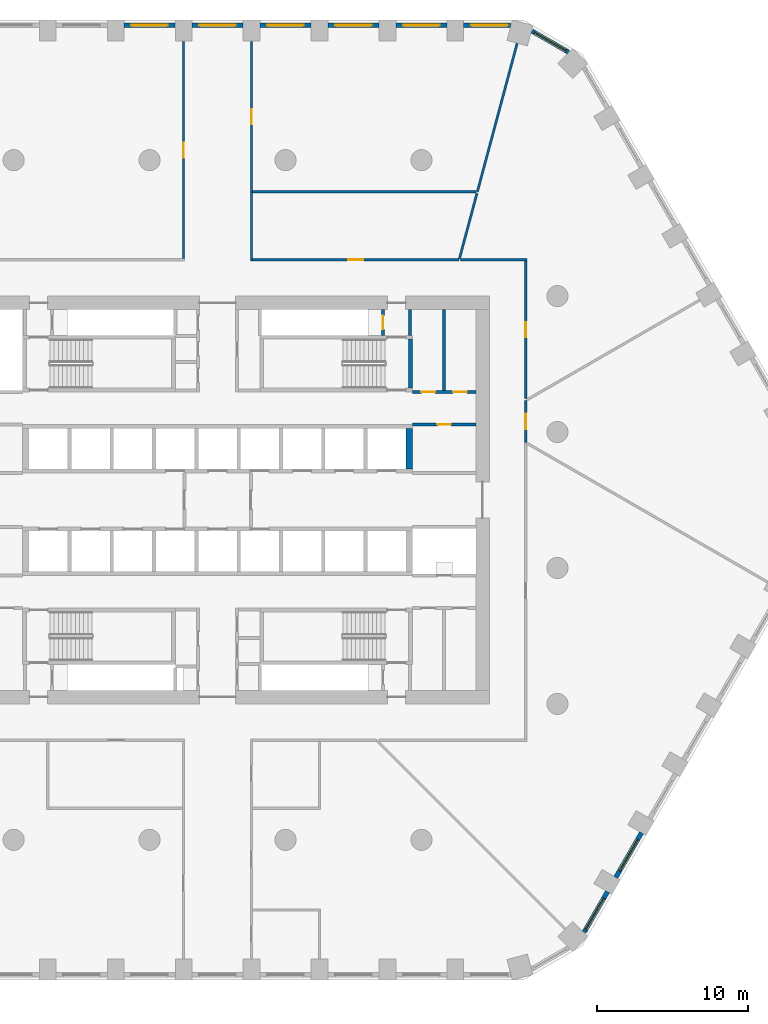
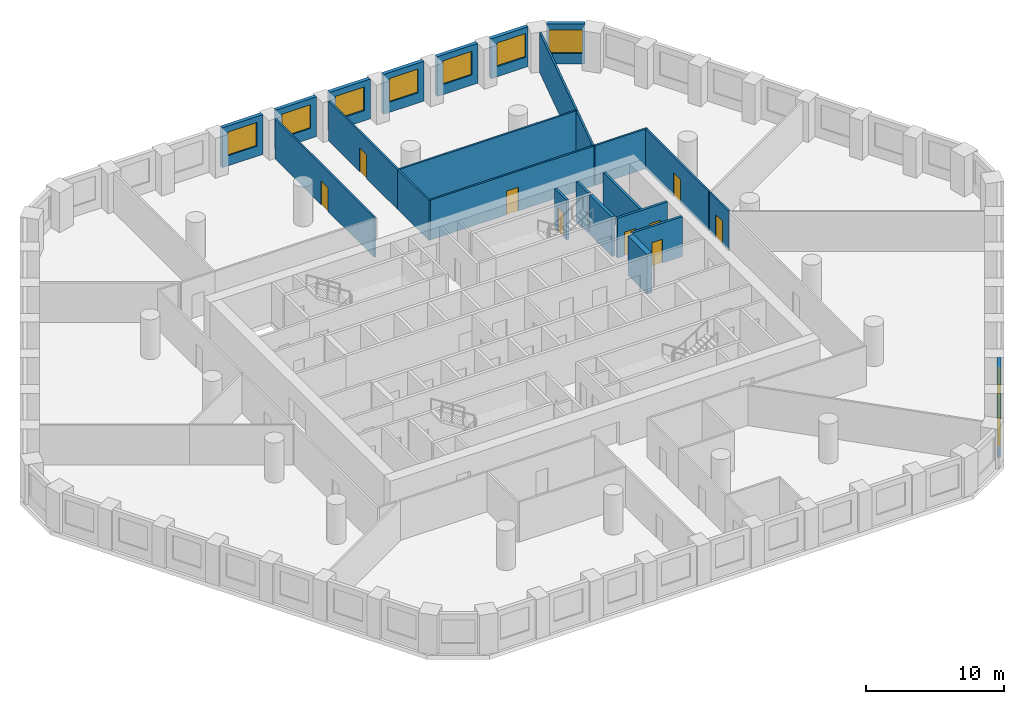
# One storey, part 7 of 10: 26 walls, 9 doors, 9 windows, 18 openings.
"""IFC4 building model written with IfcOpenShell, lengths in metres."""

from ifc_helpers import new_model, si_unit, direction, frame, frame_2d, origin, place, context, subcontext, project, spatial, polyline, rectangle, outline, extrude, material, layer, layer_set, type_object, element, fill, save


model = new_model("IFC4")

# Units and contexts
model_context = context("Model", 3, precision=1e-05, world=origin(), true_north=direction((0.0, 1.0)))
body_context = subcontext(model_context, "Body", "Model", "MODEL_VIEW")
ifc_project = project(units=[si_unit("LENGTHUNIT", "METRE"), si_unit("AREAUNIT", "SQUARE_METRE"), si_unit("VOLUMEUNIT", "CUBIC_METRE"), si_unit("PLANEANGLEUNIT", "RADIAN"), si_unit("MASSUNIT", "GRAM", prefix="KILO")], contexts=[model_context])

# Site, building, storey
site_placement = place(None, origin())
site = spatial("IfcSite", under=ifc_project, at=site_placement, CompositionType="ELEMENT")
building_placement = place(site_placement, origin())
building = spatial("IfcBuilding", under=site, at=building_placement, Name="Dhurran Vertical Campus", CompositionType="ELEMENT")
storey_placement = place(building_placement, frame((0.0, 0.0, 49.5)))
storey = spatial("IfcBuildingStorey", under=building, at=storey_placement, Name="L11", CompositionType="ELEMENT", Elevation=49.5)

# Wall, opening, window
ifc_material_1 = material(Name="Precast concrete C50/60", Category="concrete")
ifc_layer_1 = layer(ifc_material_1, 0.300048828125)
ifc_layer_set_1 = layer_set([ifc_layer_1], Name="Precast concrete C50/60")
wall_type_1 = type_object("IfcWallType", Name="Precast spandrel wall 300", PredefinedType="SOLIDWALL", material=ifc_layer_set_1)
wall_1_placement = place(storey_placement, frame((24.2734375, -28.611083984375, 0.0), z_axis=(0.0, 0.0, 1.0), x_axis=(0.499995950774, 0.866027741594, 0.0)))
wall_1 = element("IfcWall", 1, at=wall_1_placement, inside=storey, type_object=wall_type_1, Name="EW1 L11.10", PredefinedType="SOLIDWALL", context=body_context, shape_type="SweptSolid", body=[
    extrude(rectangle(XDim=3.0908203125, YDim=0.300048828125, at=frame_2d((1.54541015625, 0.0))), origin(), (0.0, 0.0, 1.0), 3.52490234375),
])
opening_1_placement = place(wall_1_placement, frame((0.191162109375, 0.0, 0.89990234375)))
opening_1 = element("IfcOpeningElement", 2, at=opening_1_placement, cuts=wall_1, Name="Opening WT1", PredefinedType="OPENING", context=body_context, shape_type="SweptSolid", body=[
    extrude(rectangle(XDim=2.39990234375, YDim=2.10009765625, at=frame_2d((1.199951171875, 1.050048828125))), frame((0.0, 0.159912109375, 0.0), z_axis=(0.0, -1.0, 0.0), x_axis=(1.0, 0.0, 0.0)), (0.0, 0.0, 1.0), 0.320068359375),
])
ifc_material_2 = material(Name="Aluminium frame with solar-control glass", Category="aluminium")
window_type = type_object("IfcWindowType", Name="Punched window 2400 x 2100", PartitioningType="SINGLE_PANEL", PredefinedType="WINDOW", material=ifc_material_2)
window_1_placement = place(opening_1_placement, origin())
window_1 = element("IfcWindow", 3, at=window_1_placement, inside=storey, type_object=window_type, Name="WT1 L11.10", OverallHeight=2.10009765625, OverallWidth=2.39990234375, PartitioningType="SINGLE_PANEL", PredefinedType="WINDOW", context=body_context, shape_type="SweptSolid", body=[
    extrude(rectangle(XDim=2.39990234375, YDim=2.10009765625, at=frame_2d((1.199951171875, 1.050048828125))), frame((0.0, 0.030029296875, 0.0), z_axis=(0.0, -1.0, 0.0), x_axis=(1.0, 0.0, 0.0)), (0.0, 0.0, 1.0), 0.06005859375),
])
fill(opening_1, window_1)

wall_2_placement = place(storey_placement, frame((26.369384765625, -24.98095703125, 0.0), z_axis=(0.0, 0.0, 1.0), x_axis=(0.499993955907, 0.866028893315, 0.0)))
wall_2 = element("IfcWall", 4, at=wall_2_placement, inside=storey, type_object=wall_type_1, Name="EW1 L11.11", PredefinedType="SOLIDWALL", context=body_context, shape_type="SweptSolid", body=[
    extrude(rectangle(XDim=3.39892578125, YDim=0.300048828125, at=frame_2d((1.699462890625, 0.0))), origin(), (0.0, 0.0, 1.0), 3.52490234375),
])
opening_2_placement = place(wall_2_placement, frame((0.49951171875, 0.0, 0.89990234375)))
opening_2 = element("IfcOpeningElement", 5, at=opening_2_placement, cuts=wall_2, Name="Opening WT1", PredefinedType="OPENING", context=body_context, shape_type="SweptSolid", body=[
    extrude(rectangle(XDim=2.39990234375, YDim=2.10009765625, at=frame_2d((1.199951171875, 1.050048828125))), frame((0.0, 0.159912109375, 0.0), z_axis=(0.0, -1.0, 0.0), x_axis=(1.0, 0.0, 0.0)), (0.0, 0.0, 1.0), 0.320068359375),
])
window_2_placement = place(opening_2_placement, origin())
window_2 = element("IfcWindow", 6, at=window_2_placement, inside=storey, type_object=window_type, Name="WT1 L11.11", OverallHeight=2.10009765625, OverallWidth=2.39990234375, PartitioningType="SINGLE_PANEL", PredefinedType="WINDOW", context=body_context, shape_type="SweptSolid", body=[
    extrude(rectangle(XDim=2.39990234375, YDim=2.10009765625, at=frame_2d((1.199951171875, 1.050048828125))), frame((0.0, 0.030029296875, 0.0), z_axis=(0.0, -1.0, 0.0), x_axis=(1.0, 0.0, 0.0)), (0.0, 0.0, 1.0), 0.06005859375),
])
fill(opening_2, window_2)

wall_3_placement = place(storey_placement, frame((23.228271484375, 29.656005859375, 0.0), z_axis=(0.0, 0.0, 1.0), x_axis=(-0.866020456713, 0.500008568482, 0.0)))
wall_3 = element("IfcWall", 7, at=wall_3_placement, inside=storey, type_object=wall_type_1, Name="EW1 L11.25", PredefinedType="SOLIDWALL", context=body_context, shape_type="SweptSolid", body=[
    extrude(rectangle(XDim=2.7822265625, YDim=0.300048828125, at=frame_2d((1.39111328125, 0.0))), origin(), (0.0, 0.0, 1.0), 3.52490234375),
])
opening_3_placement = place(wall_3_placement, frame((0.191162109375, 0.0, 0.89990234375)))
opening_3 = element("IfcOpeningElement", 8, at=opening_3_placement, cuts=wall_3, Name="Opening WT1", PredefinedType="OPENING", context=body_context, shape_type="SweptSolid", body=[
    extrude(rectangle(XDim=2.39990234375, YDim=2.10009765625, at=frame_2d((1.199951171875, 1.050048828125))), frame((0.0, 0.159912109375, 0.0), z_axis=(0.0, -1.0, 0.0), x_axis=(1.0, 0.0, 0.0)), (0.0, 0.0, 1.0), 0.320068359375),
])
window_3_placement = place(opening_3_placement, origin())
window_3 = element("IfcWindow", 9, at=window_3_placement, inside=storey, type_object=window_type, Name="WT1 L11.25", OverallHeight=2.10009765625, OverallWidth=2.39990234375, PartitioningType="SINGLE_PANEL", PredefinedType="WINDOW", context=body_context, shape_type="SweptSolid", body=[
    extrude(rectangle(XDim=2.39990234375, YDim=2.10009765625, at=frame_2d((1.199951171875, 1.050048828125))), frame((0.0, 0.030029296875, 0.0), z_axis=(0.0, -1.0, 0.0), x_axis=(1.0, 0.0, 0.0)), (0.0, 0.0, 1.0), 0.06005859375),
])
fill(opening_3, window_3)

wall_4_placement = place(storey_placement, frame((19.39111328125, 31.4296875, 0.0), z_axis=(0.0, 0.0, 1.0), x_axis=(-1.0, 0.0, 0.0)))
wall_4 = element("IfcWall", 10, at=wall_4_placement, inside=storey, type_object=wall_type_1, Name="EW1 L11.26", PredefinedType="SOLIDWALL", context=body_context, shape_type="SweptSolid", body=[
    extrude(rectangle(XDim=3.090576171875, YDim=0.300048828125, at=frame_2d((1.54541015625, 0.0))), origin(), (0.0, 0.0, 1.0), 3.52490234375),
])
opening_4_placement = place(wall_4_placement, frame((0.191162109375, 0.0, 0.89990234375)))
opening_4 = element("IfcOpeningElement", 11, at=opening_4_placement, cuts=wall_4, Name="Opening WT1", PredefinedType="OPENING", context=body_context, shape_type="SweptSolid", body=[
    extrude(rectangle(XDim=2.39990234375, YDim=2.10009765625, at=frame_2d((1.199951171875, 1.050048828125))), frame((0.0, 0.159912109375, 0.0), z_axis=(0.0, -1.0, 0.0), x_axis=(1.0, 0.0, 0.0)), (0.0, 0.0, 1.0), 0.320068359375),
])
window_4_placement = place(opening_4_placement, origin())
window_4 = element("IfcWindow", 12, at=window_4_placement, inside=storey, type_object=window_type, Name="WT1 L11.26", OverallHeight=2.10009765625, OverallWidth=2.39990234375, PartitioningType="SINGLE_PANEL", PredefinedType="WINDOW", context=body_context, shape_type="SweptSolid", body=[
    extrude(rectangle(XDim=2.39990234375, YDim=2.10009765625, at=frame_2d((1.199951171875, 1.050048828125))), frame((0.0, 0.030029296875, 0.0), z_axis=(0.0, -1.0, 0.0), x_axis=(1.0, 0.0, 0.0)), (0.0, 0.0, 1.0), 0.06005859375),
])
fill(opening_4, window_4)

wall_5_placement = place(storey_placement, frame((15.199462890625, 31.4296875, 0.0), z_axis=(0.0, 0.0, 1.0), x_axis=(-1.0, 0.0, 0.0)))
wall_5 = element("IfcWall", 13, at=wall_5_placement, inside=storey, type_object=wall_type_1, Name="EW1 L11.27", PredefinedType="SOLIDWALL", context=body_context, shape_type="SweptSolid", body=[
    extrude(rectangle(XDim=3.39892578125, YDim=0.300048828125, at=frame_2d((1.699462890625, 0.0))), origin(), (0.0, 0.0, 1.0), 3.52490234375),
])
opening_5_placement = place(wall_5_placement, frame((0.49951171875, 0.0, 0.89990234375)))
opening_5 = element("IfcOpeningElement", 14, at=opening_5_placement, cuts=wall_5, Name="Opening WT1", PredefinedType="OPENING", context=body_context, shape_type="SweptSolid", body=[
    extrude(rectangle(XDim=2.39990234375, YDim=2.10009765625, at=frame_2d((1.199951171875, 1.050048828125))), frame((0.0, 0.159912109375, 0.0), z_axis=(0.0, -1.0, 0.0), x_axis=(1.0, 0.0, 0.0)), (0.0, 0.0, 1.0), 0.320068359375),
])
window_5_placement = place(opening_5_placement, origin())
window_5 = element("IfcWindow", 15, at=window_5_placement, inside=storey, type_object=window_type, Name="WT1 L11.27", OverallHeight=2.10009765625, OverallWidth=2.39990234375, PartitioningType="SINGLE_PANEL", PredefinedType="WINDOW", context=body_context, shape_type="SweptSolid", body=[
    extrude(rectangle(XDim=2.39990234375, YDim=2.10009765625, at=frame_2d((1.199951171875, 1.050048828125))), frame((0.0, 0.030029296875, 0.0), z_axis=(0.0, -1.0, 0.0), x_axis=(1.0, 0.0, 0.0)), (0.0, 0.0, 1.0), 0.06005859375),
])
fill(opening_5, window_5)

wall_6_placement = place(storey_placement, frame((10.699462890625, 31.4296875, 0.0), z_axis=(0.0, 0.0, 1.0), x_axis=(-1.0, 0.0, 0.0)))
wall_6 = element("IfcWall", 16, at=wall_6_placement, inside=storey, type_object=wall_type_1, Name="EW1 L11.28", PredefinedType="SOLIDWALL", context=body_context, shape_type="SweptSolid", body=[
    extrude(rectangle(XDim=3.39892578125, YDim=0.300048828125, at=frame_2d((1.699462890625, 0.0))), origin(), (0.0, 0.0, 1.0), 3.52490234375),
])
opening_6_placement = place(wall_6_placement, frame((0.49951171875, 0.0, 0.89990234375)))
opening_6 = element("IfcOpeningElement", 17, at=opening_6_placement, cuts=wall_6, Name="Opening WT1", PredefinedType="OPENING", context=body_context, shape_type="SweptSolid", body=[
    extrude(rectangle(XDim=2.39990234375, YDim=2.10009765625, at=frame_2d((1.199951171875, 1.050048828125))), frame((0.0, 0.159912109375, 0.0), z_axis=(0.0, -1.0, 0.0), x_axis=(1.0, 0.0, 0.0)), (0.0, 0.0, 1.0), 0.320068359375),
])
window_6_placement = place(opening_6_placement, origin())
window_6 = element("IfcWindow", 18, at=window_6_placement, inside=storey, type_object=window_type, Name="WT1 L11.28", OverallHeight=2.10009765625, OverallWidth=2.39990234375, PartitioningType="SINGLE_PANEL", PredefinedType="WINDOW", context=body_context, shape_type="SweptSolid", body=[
    extrude(rectangle(XDim=2.39990234375, YDim=2.10009765625, at=frame_2d((1.199951171875, 1.050048828125))), frame((0.0, 0.030029296875, 0.0), z_axis=(0.0, -1.0, 0.0), x_axis=(1.0, 0.0, 0.0)), (0.0, 0.0, 1.0), 0.06005859375),
])
fill(opening_6, window_6)

wall_7_placement = place(storey_placement, frame((6.199462890625, 31.4296875, 0.0), z_axis=(0.0, 0.0, 1.0), x_axis=(-1.0, 0.0, 0.0)))
wall_7 = element("IfcWall", 19, at=wall_7_placement, inside=storey, type_object=wall_type_1, Name="EW1 L11.29", PredefinedType="SOLIDWALL", context=body_context, shape_type="SweptSolid", body=[
    extrude(rectangle(XDim=3.39892578125, YDim=0.300048828125, at=frame_2d((1.699462890625, 0.0))), origin(), (0.0, 0.0, 1.0), 3.52490234375),
])
opening_7_placement = place(wall_7_placement, frame((0.49951171875, 0.0, 0.89990234375)))
opening_7 = element("IfcOpeningElement", 20, at=opening_7_placement, cuts=wall_7, Name="Opening WT1", PredefinedType="OPENING", context=body_context, shape_type="SweptSolid", body=[
    extrude(rectangle(XDim=2.39990234375, YDim=2.10009765625, at=frame_2d((1.199951171875, 1.050048828125))), frame((0.0, 0.159912109375, 0.0), z_axis=(0.0, -1.0, 0.0), x_axis=(1.0, 0.0, 0.0)), (0.0, 0.0, 1.0), 0.320068359375),
])
window_7_placement = place(opening_7_placement, origin())
window_7 = element("IfcWindow", 21, at=window_7_placement, inside=storey, type_object=window_type, Name="WT1 L11.29", OverallHeight=2.10009765625, OverallWidth=2.39990234375, PartitioningType="SINGLE_PANEL", PredefinedType="WINDOW", context=body_context, shape_type="SweptSolid", body=[
    extrude(rectangle(XDim=2.39990234375, YDim=2.10009765625, at=frame_2d((1.199951171875, 1.050048828125))), frame((0.0, 0.030029296875, 0.0), z_axis=(0.0, -1.0, 0.0), x_axis=(1.0, 0.0, 0.0)), (0.0, 0.0, 1.0), 0.06005859375),
])
fill(opening_7, window_7)

wall_8_placement = place(storey_placement, frame((1.699462890625, 31.4296875, 0.0), z_axis=(0.0, 0.0, 1.0), x_axis=(-1.0, 0.0, 0.0)))
wall_8 = element("IfcWall", 22, at=wall_8_placement, inside=storey, type_object=wall_type_1, Name="EW1 L11.30", PredefinedType="SOLIDWALL", context=body_context, shape_type="SweptSolid", body=[
    extrude(rectangle(XDim=3.39892578125, YDim=0.300048828125, at=frame_2d((1.699462890625, 0.0))), origin(), (0.0, 0.0, 1.0), 3.52490234375),
])
opening_8_placement = place(wall_8_placement, frame((0.49951171875, 0.0, 0.89990234375)))
opening_8 = element("IfcOpeningElement", 23, at=opening_8_placement, cuts=wall_8, Name="Opening WT1", PredefinedType="OPENING", context=body_context, shape_type="SweptSolid", body=[
    extrude(rectangle(XDim=2.39990234375, YDim=2.10009765625, at=frame_2d((1.199951171875, 1.050048828125))), frame((0.0, 0.159912109375, 0.0), z_axis=(0.0, -1.0, 0.0), x_axis=(1.0, 0.0, 0.0)), (0.0, 0.0, 1.0), 0.320068359375),
])
window_8_placement = place(opening_8_placement, origin())
window_8 = element("IfcWindow", 24, at=window_8_placement, inside=storey, type_object=window_type, Name="WT1 L11.30", OverallHeight=2.10009765625, OverallWidth=2.39990234375, PartitioningType="SINGLE_PANEL", PredefinedType="WINDOW", context=body_context, shape_type="SweptSolid", body=[
    extrude(rectangle(XDim=2.39990234375, YDim=2.10009765625, at=frame_2d((1.199951171875, 1.050048828125))), frame((0.0, 0.030029296875, 0.0), z_axis=(0.0, -1.0, 0.0), x_axis=(1.0, 0.0, 0.0)), (0.0, 0.0, 1.0), 0.06005859375),
])
fill(opening_8, window_8)

wall_9_placement = place(storey_placement, frame((-2.800537109375, 31.4296875, 0.0), z_axis=(0.0, 0.0, 1.0), x_axis=(-1.0, 0.0, 0.0)))
wall_9 = element("IfcWall", 25, at=wall_9_placement, inside=storey, type_object=wall_type_1, Name="EW1 L11.31", PredefinedType="SOLIDWALL", context=body_context, shape_type="SweptSolid", body=[
    extrude(rectangle(XDim=3.39892578125, YDim=0.300048828125, at=frame_2d((1.699462890625, 0.0))), origin(), (0.0, 0.0, 1.0), 3.52490234375),
])
opening_9_placement = place(wall_9_placement, frame((0.49951171875, 0.0, 0.89990234375)))
opening_9 = element("IfcOpeningElement", 26, at=opening_9_placement, cuts=wall_9, Name="Opening WT1", PredefinedType="OPENING", context=body_context, shape_type="SweptSolid", body=[
    extrude(rectangle(XDim=2.39990234375, YDim=2.10009765625, at=frame_2d((1.199951171875, 1.050048828125))), frame((0.0, 0.159912109375, 0.0), z_axis=(0.0, -1.0, 0.0), x_axis=(1.0, 0.0, 0.0)), (0.0, 0.0, 1.0), 0.320068359375),
])
window_9_placement = place(opening_9_placement, origin())
window_9 = element("IfcWindow", 27, at=window_9_placement, inside=storey, type_object=window_type, Name="WT1 L11.31", OverallHeight=2.10009765625, OverallWidth=2.39990234375, PartitioningType="SINGLE_PANEL", PredefinedType="WINDOW", context=body_context, shape_type="SweptSolid", body=[
    extrude(rectangle(XDim=2.39990234375, YDim=2.10009765625, at=frame_2d((1.199951171875, 1.050048828125))), frame((0.0, 0.030029296875, 0.0), z_axis=(0.0, -1.0, 0.0), x_axis=(1.0, 0.0, 0.0)), (0.0, 0.0, 1.0), 0.06005859375),
])
fill(opening_9, window_9)

# Wall
ifc_material_3 = material(Name="Fire-rated masonry blockwork", Category="masonry")
ifc_layer_2 = layer(ifc_material_3, 0.199951171875)
ifc_layer_set_2 = layer_set([ifc_layer_2], Name="Fire-rated masonry blockwork")
wall_type_2 = type_object("IfcWallType", Name="co-FIRE-PARTITION-200", PredefinedType="PARTITIONING", material=ifc_layer_set_2)
wall_10_placement = place(storey_placement, frame((12.75, 10.89990234375, 0.0), z_axis=(0.0, 0.0, 1.0), x_axis=(0.0, 1.0, 0.0)))
element("IfcWall", 28, at=wall_10_placement, inside=storey, type_object=wall_type_2, Name="Core partition pass-ST2-o L11", PredefinedType="PARTITIONING", context=body_context, shape_type="SweptSolid", body=[
    extrude(rectangle(XDim=1.7001953125, YDim=0.199951171875, at=frame_2d((0.85009765625, 0.0))), origin(), (0.0, 0.0, 1.0), 3.52490234375),
])

# Wall, opening, door
wall_11_placement = place(storey_placement, frame((10.949951171875, 10.89990234375, 0.0), z_axis=(0.0, 0.0, 1.0), x_axis=(0.0, 1.0, 0.0)))
wall_11 = element("IfcWall", 29, at=wall_11_placement, inside=storey, type_object=wall_type_2, Name="Core partition pass-ST2-i L11", PredefinedType="PARTITIONING", context=body_context, shape_type="SweptSolid", body=[
    extrude(rectangle(XDim=1.7001953125, YDim=0.199951171875, at=frame_2d((0.85009765625, 0.0))), origin(), (0.0, 0.0, 1.0), 3.52490234375),
])
opening_10_placement = place(wall_11_placement, frame((0.39990234375, 0.0, 0.0)))
opening_10 = element("IfcOpeningElement", 30, at=opening_10_placement, cuts=wall_11, Name="Opening T02-C11", PredefinedType="OPENING", context=body_context, shape_type="SweptSolid", body=[
    extrude(rectangle(XDim=0.89990234375, YDim=2.10009765625, at=frame_2d((0.449951171875, 1.050048828125))), frame((0.0, 0.10986328125, 0.0), z_axis=(0.0, -1.0, 0.0), x_axis=(1.0, 0.0, 0.0)), (0.0, 0.0, 1.0), 0.219970703125),
])
ifc_material_4 = material(Name="Fire-rated timber door set", Category="wood")
door_type_1 = type_object("IfcDoorType", Name="co-D-ROOM 900x2100", OperationType="SINGLE_SWING_LEFT", PredefinedType="DOOR", material=ifc_material_4)
door_1_placement = place(opening_10_placement, origin())
door_1 = element("IfcDoor", 31, at=door_1_placement, inside=storey, type_object=door_type_1, Name="Riser room door L11", OperationType="SINGLE_SWING_LEFT", OverallHeight=2.10009765625, OverallWidth=0.89990234375, PredefinedType="DOOR", context=body_context, shape_type="SweptSolid", body=[
    extrude(rectangle(XDim=0.89990234375, YDim=2.10009765625, at=frame_2d((0.449951171875, 1.050048828125))), frame((0.0, 0.02490234375, 0.0), z_axis=(0.0, -1.0, 0.0), x_axis=(1.0, 0.0, 0.0)), (0.0, 0.0, 1.0), 0.050048828125),
])
fill(opening_10, door_1)

# Wall
wall_12_placement = place(storey_placement, frame((15.0, 7.14990234375, 0.0), z_axis=(0.0, 0.0, 1.0), x_axis=(0.0, 1.0, 0.0)))
element("IfcWall", 32, at=wall_12_placement, inside=storey, type_object=wall_type_2, Name="Core partition en-NE-cut0 L11", PredefinedType="PARTITIONING", context=body_context, shape_type="SweptSolid", body=[
    extrude(rectangle(XDim=5.4501953125, YDim=0.199951171875, at=frame_2d((2.72509765625, 0.0))), origin(), (0.0, 0.0, 1.0), 3.52490234375),
])

# Wall, openings, doors
wall_13_placement = place(storey_placement, frame((12.89990234375, 7.14990234375, 0.0), z_axis=(0.0, 0.0, 1.0), x_axis=(1.0, 0.0, 0.0)))
wall_13 = element("IfcWall", 33, at=wall_13_placement, inside=storey, type_object=wall_type_2, Name="Core partition en-NE-w L11", PredefinedType="PARTITIONING", context=body_context, shape_type="SweptSolid", body=[
    extrude(rectangle(XDim=4.2001953125, YDim=0.199951171875, at=frame_2d((2.10009765625, 0.0))), origin(), (0.0, 0.0, 1.0), 3.52490234375),
])
opening_11_placement = place(wall_13_placement, frame((0.60009765625, 0.0, 0.0)))
opening_11 = element("IfcOpeningElement", 34, at=opening_11_placement, cuts=wall_13, Name="Opening T02-C16", PredefinedType="OPENING", context=body_context, shape_type="SweptSolid", body=[
    extrude(rectangle(XDim=0.89990234375, YDim=2.10009765625, at=frame_2d((0.449951171875, 1.050048828125))), frame((0.0, 0.10986328125, 0.0), z_axis=(0.0, -1.0, 0.0), x_axis=(1.0, 0.0, 0.0)), (0.0, 0.0, 1.0), 0.219970703125),
])
opening_12_placement = place(wall_13_placement, frame((2.699951171875, 0.0, 0.0)))
opening_12 = element("IfcOpeningElement", 35, at=opening_12_placement, cuts=wall_13, Name="Opening T02-C17", PredefinedType="OPENING", context=body_context, shape_type="SweptSolid", body=[
    extrude(rectangle(XDim=0.89990234375, YDim=2.10009765625, at=frame_2d((0.449951171875, 1.050048828125))), frame((0.0, 0.10986328125, 0.0), z_axis=(0.0, -1.0, 0.0), x_axis=(1.0, 0.0, 0.0)), (0.0, 0.0, 1.0), 0.219970703125),
])
door_2_placement = place(opening_11_placement, origin())
door_2 = element("IfcDoor", 36, at=door_2_placement, inside=storey, type_object=door_type_1, Name="Store door L11", OperationType="SINGLE_SWING_LEFT", OverallHeight=2.10009765625, OverallWidth=0.89990234375, PredefinedType="DOOR", context=body_context, shape_type="SweptSolid", body=[
    extrude(rectangle(XDim=0.89990234375, YDim=2.10009765625, at=frame_2d((0.449951171875, 1.050048828125))), frame((0.0, 0.02490234375, 0.0), z_axis=(0.0, -1.0, 0.0), x_axis=(1.0, 0.0, 0.0)), (0.0, 0.0, 1.0), 0.050048828125),
])
fill(opening_11, door_2)
door_3_placement = place(opening_12_placement, origin())
door_3 = element("IfcDoor", 37, at=door_3_placement, inside=storey, type_object=door_type_1, Name="Plant room door L11", OperationType="SINGLE_SWING_LEFT", OverallHeight=2.10009765625, OverallWidth=0.89990234375, PredefinedType="DOOR", context=body_context, shape_type="SweptSolid", body=[
    extrude(rectangle(XDim=0.89990234375, YDim=2.10009765625, at=frame_2d((0.449951171875, 1.050048828125))), frame((0.0, 0.02490234375, 0.0), z_axis=(0.0, -1.0, 0.0), x_axis=(1.0, 0.0, 0.0)), (0.0, 0.0, 1.0), 0.050048828125),
])
fill(opening_12, door_3)

# Wall, opening, door
wall_14_placement = place(storey_placement, frame((12.89990234375, 5.0, 0.0), z_axis=(0.0, 0.0, 1.0), x_axis=(1.0, 0.0, 0.0)))
wall_14 = element("IfcWall", 38, at=wall_14_placement, inside=storey, type_object=wall_type_2, Name="Core partition es-NE-w L11", PredefinedType="PARTITIONING", context=body_context, shape_type="SweptSolid", body=[
    extrude(rectangle(XDim=4.2001953125, YDim=0.199951171875, at=frame_2d((2.10009765625, 0.0))), origin(), (0.0, 0.0, 1.0), 3.52490234375),
])
opening_13_placement = place(wall_14_placement, frame((1.64990234375, 0.0, 0.0)))
opening_13 = element("IfcOpeningElement", 39, at=opening_13_placement, cuts=wall_14, Name="Opening T02-C18", PredefinedType="OPENING", context=body_context, shape_type="SweptSolid", body=[
    extrude(rectangle(XDim=0.89990234375, YDim=2.10009765625, at=frame_2d((0.449951171875, 1.050048828125))), frame((0.0, 0.10986328125, 0.0), z_axis=(0.0, -1.0, 0.0), x_axis=(1.0, 0.0, 0.0)), (0.0, 0.0, 1.0), 0.219970703125),
])
door_4_placement = place(opening_13_placement, origin())
door_4 = element("IfcDoor", 40, at=door_4_placement, inside=storey, type_object=door_type_1, Name="Cleaner's store door L11", OperationType="SINGLE_SWING_LEFT", OverallHeight=2.10009765625, OverallWidth=0.89990234375, PredefinedType="DOOR", context=body_context, shape_type="SweptSolid", body=[
    extrude(rectangle(XDim=0.89990234375, YDim=2.10009765625, at=frame_2d((0.449951171875, 1.050048828125))), frame((0.0, 0.02490234375, 0.0), z_axis=(0.0, -1.0, 0.0), x_axis=(1.0, 0.0, 0.0)), (0.0, 0.0, 1.0), 0.050048828125),
])
fill(opening_13, door_4)

# Walls
ifc_material_5 = material(Name="Concrete C50/60", Category="concrete")
ifc_layer_3 = layer(ifc_material_5, 0.25)
ifc_layer_set_3 = layer_set([ifc_layer_3], Name="Concrete C50/60")
wall_type_3 = type_object("IfcWallType", Name="co-SHAFT-MASS-250", PredefinedType="SHEAR", material=ifc_layer_set_3)
wall_15_placement = place(storey_placement, origin())
element("IfcWall", 41, at=wall_15_placement, inside=storey, type_object=wall_type_3, Name="Lift shaft wall N L11 11", PredefinedType="SHEAR", context=body_context, shape_type="SweptSolid", body=[
    extrude(outline(polyline([(12.47509765625, 2.050048828125), (12.89990234375, 2.050048828125), (12.89990234375, 4.75), (12.47509765625, 4.75), (12.47509765625, 2.050048828125)])), origin(), (0.0, 0.0, 1.0), 3.52490234375),
])
ifc_material_6 = material(Name="Concrete C40/50", Category="concrete")
ifc_layer_4 = layer(ifc_material_6, 0.25)
ifc_layer_set_4 = layer_set([ifc_layer_4], Name="Concrete C40/50")
wall_type_4 = type_object("IfcWallType", Name="co-STAIR-WALL-250", PredefinedType="SHEAR", material=ifc_layer_set_4)
wall_16_placement = place(storey_placement, frame((12.77490234375, 7.39990234375, 0.0), z_axis=(0.0, 0.0, 1.0), x_axis=(0.0, 1.0, 0.0)))
element("IfcWall", 42, at=wall_16_placement, inside=storey, type_object=wall_type_4, Name="Stair ST2 enclosure wall L11", PredefinedType="SHEAR", context=body_context, shape_type="SweptSolid", body=[
    extrude(rectangle(XDim=3.25, YDim=0.25, at=frame_2d((1.625, 0.0))), origin(), (0.0, 0.0, 1.0), 3.52490234375),
])

# Wall, opening, door
ifc_material_7 = material(Name="Gypsum board corridor wall on steel studs", Category="steel")
ifc_layer_5 = layer(ifc_material_7, 0.14990234375)
ifc_layer_set_5 = layer_set([ifc_layer_5], Name="Gypsum board corridor wall on steel studs")
wall_type_5 = type_object("IfcWallType", Name="fl-CW-150 corridor wall", PredefinedType="PARTITIONING", material=ifc_layer_set_5)
wall_17_placement = place(storey_placement, frame((-2.25, 15.97509765625, 0.0), z_axis=(0.0, 0.0, 1.0), x_axis=(0.0, 1.0, 0.0)))
wall_17 = element("IfcWall", 43, at=wall_17_placement, inside=storey, type_object=wall_type_5, Name="Partition 11-20", PredefinedType="PARTITIONING", context=body_context, shape_type="SweptSolid", body=[
    extrude(rectangle(XDim=14.384765625, YDim=0.14990234375, at=frame_2d((7.1923828125, 0.0))), origin(), (0.0, 0.0, 1.0), 3.52490234375),
])
opening_14_placement = place(wall_17_placement, frame((6.6923828125, 0.0, 0.0)))
opening_14 = element("IfcOpeningElement", 44, at=opening_14_placement, cuts=wall_17, Name="Opening T02.06", PredefinedType="OPENING", context=body_context, shape_type="SweptSolid", body=[
    extrude(rectangle(XDim=1.0, YDim=2.10009765625, at=frame_2d((0.5, 1.050048828125))), frame((0.0, 0.0849609375, 0.0), z_axis=(0.0, -1.0, 0.0), x_axis=(1.0, 0.0, 0.0)), (0.0, 0.0, 1.0), 0.169921875),
])
ifc_material_8 = material(Name="Solid-core timber door set, fire-rated", Category="wood")
door_type_2 = type_object("IfcDoorType", Name="fl-D-1000x2100", OperationType="SINGLE_SWING_LEFT", PredefinedType="DOOR", material=ifc_material_8)
door_5_placement = place(opening_14_placement, origin())
door_5 = element("IfcDoor", 45, at=door_5_placement, inside=storey, type_object=door_type_2, Name="Door 11.06", OperationType="SINGLE_SWING_RIGHT", OverallHeight=2.10009765625, OverallWidth=1.0, PredefinedType="DOOR", context=body_context, shape_type="SweptSolid", body=[
    extrude(rectangle(XDim=1.0, YDim=2.10009765625, at=frame_2d((0.5, 1.050048828125))), frame((0.0, 0.02490234375, 0.0), z_axis=(0.0, -1.0, 0.0), x_axis=(1.0, 0.0, 0.0)), (0.0, 0.0, 1.0), 0.050048828125),
])
fill(opening_14, door_5)

# Wall
wall_18_placement = place(storey_placement, frame((2.25, 20.39990234375, 0.0), z_axis=(0.0, 0.0, 1.0), x_axis=(0.0, -1.0, 0.0)))
element("IfcWall", 46, at=wall_18_placement, inside=storey, type_object=wall_type_5, Name="Partition 11-27", PredefinedType="PARTITIONING", context=body_context, shape_type="SweptSolid", body=[
    extrude(rectangle(XDim=4.574951171875, YDim=0.14990234375, at=frame_2d((2.28759765625, 0.0))), origin(), (0.0, 0.0, 1.0), 3.52490234375),
])

# Wall, opening, door
wall_19_placement = place(storey_placement, frame((15.9951171875, 15.89990234375, 0.0), z_axis=(0.0, 0.0, 1.0), x_axis=(-1.0, 0.0, 0.0)))
wall_19 = element("IfcWall", 47, at=wall_19_placement, inside=storey, type_object=wall_type_5, Name="Partition 11-28", PredefinedType="PARTITIONING", context=body_context, shape_type="SweptSolid", body=[
    extrude(rectangle(XDim=13.670166015625, YDim=0.14990234375, at=frame_2d((6.8349609375, 0.0))), origin(), (0.0, 0.0, 1.0), 3.52490234375),
])
opening_15_placement = place(wall_19_placement, frame((6.3349609375, 0.0, 0.0)))
opening_15 = element("IfcOpeningElement", 48, at=opening_15_placement, cuts=wall_19, Name="Opening T02.10", PredefinedType="OPENING", context=body_context, shape_type="SweptSolid", body=[
    extrude(rectangle(XDim=1.0, YDim=2.10009765625, at=frame_2d((0.5, 1.050048828125))), frame((0.0, 0.0849609375, 0.0), z_axis=(0.0, -1.0, 0.0), x_axis=(1.0, 0.0, 0.0)), (0.0, 0.0, 1.0), 0.169921875),
])
door_6_placement = place(opening_15_placement, origin())
door_6 = element("IfcDoor", 49, at=door_6_placement, inside=storey, type_object=door_type_2, Name="Door 11.10", OperationType="SINGLE_SWING_RIGHT", OverallHeight=2.10009765625, OverallWidth=1.0, PredefinedType="DOOR", context=body_context, shape_type="SweptSolid", body=[
    extrude(rectangle(XDim=1.0, YDim=2.10009765625, at=frame_2d((0.5, 1.050048828125))), frame((0.0, 0.02490234375, 0.0), z_axis=(0.0, -1.0, 0.0), x_axis=(1.0, 0.0, 0.0)), (0.0, 0.0, 1.0), 0.050048828125),
])
fill(opening_15, door_6)

wall_20_placement = place(storey_placement, frame((2.25, 30.35986328125, 0.0), z_axis=(0.0, 0.0, 1.0), x_axis=(0.0, -1.0, 0.0)))
wall_20 = element("IfcWall", 50, at=wall_20_placement, inside=storey, type_object=wall_type_5, Name="Partition 11-29", PredefinedType="PARTITIONING", context=body_context, shape_type="SweptSolid", body=[
    extrude(rectangle(XDim=9.9599609375, YDim=0.14990234375, at=frame_2d((4.97998046875, 0.0))), origin(), (0.0, 0.0, 1.0), 3.52490234375),
])
opening_16_placement = place(wall_20_placement, frame((4.47998046875, 0.0, 0.0)))
opening_16 = element("IfcOpeningElement", 51, at=opening_16_placement, cuts=wall_20, Name="Opening T02.11", PredefinedType="OPENING", context=body_context, shape_type="SweptSolid", body=[
    extrude(rectangle(XDim=1.0, YDim=2.10009765625, at=frame_2d((0.5, 1.050048828125))), frame((0.0, 0.0849609375, 0.0), z_axis=(0.0, -1.0, 0.0), x_axis=(1.0, 0.0, 0.0)), (0.0, 0.0, 1.0), 0.169921875),
])
door_7_placement = place(opening_16_placement, origin())
door_7 = element("IfcDoor", 52, at=door_7_placement, inside=storey, type_object=door_type_2, Name="Door 11.11", OperationType="SINGLE_SWING_RIGHT", OverallHeight=2.10009765625, OverallWidth=1.0, PredefinedType="DOOR", context=body_context, shape_type="SweptSolid", body=[
    extrude(rectangle(XDim=1.0, YDim=2.10009765625, at=frame_2d((0.5, 1.050048828125))), frame((0.0, 0.02490234375, 0.0), z_axis=(0.0, -1.0, 0.0), x_axis=(1.0, 0.0, 0.0)), (0.0, 0.0, 1.0), 0.050048828125),
])
fill(opening_16, door_7)

# Wall
wall_21_placement = place(storey_placement, frame((20.47509765625, 15.89990234375, 0.0), z_axis=(0.0, 0.0, 1.0), x_axis=(-1.0, 0.0, 0.0)))
element("IfcWall", 53, at=wall_21_placement, inside=storey, type_object=wall_type_5, Name="Partition 11-37", PredefinedType="PARTITIONING", context=body_context, shape_type="SweptSolid", body=[
    extrude(rectangle(XDim=4.385009765625, YDim=0.14990234375, at=frame_2d((2.1923828125, 0.0))), origin(), (0.0, 0.0, 1.0), 3.52490234375),
])

# Wall, opening, door
wall_22_placement = place(storey_placement, frame((20.39990234375, 3.81103515625, 0.0), z_axis=(0.0, 0.0, 1.0), x_axis=(0.0, 1.0, 0.0)))
wall_22 = element("IfcWall", 54, at=wall_22_placement, inside=storey, type_object=wall_type_5, Name="Partition 11-40", PredefinedType="PARTITIONING", context=body_context, shape_type="SweptSolid", body=[
    extrude(rectangle(XDim=2.77099609375, YDim=0.14990234375, at=frame_2d((1.385498046875, 0.0))), origin(), (0.0, 0.0, 1.0), 3.52490234375),
])
opening_17_placement = place(wall_22_placement, frame((0.885498046875, 0.0, 0.0)))
opening_17 = element("IfcOpeningElement", 55, at=opening_17_placement, cuts=wall_22, Name="Opening T02.15", PredefinedType="OPENING", context=body_context, shape_type="SweptSolid", body=[
    extrude(rectangle(XDim=1.0, YDim=2.10009765625, at=frame_2d((0.5, 1.050048828125))), frame((0.0, 0.0849609375, 0.0), z_axis=(0.0, -1.0, 0.0), x_axis=(1.0, 0.0, 0.0)), (0.0, 0.0, 1.0), 0.169921875),
])
door_8_placement = place(opening_17_placement, origin())
door_8 = element("IfcDoor", 56, at=door_8_placement, inside=storey, type_object=door_type_2, Name="Door 11.15", OperationType="SINGLE_SWING_RIGHT", OverallHeight=2.10009765625, OverallWidth=1.0, PredefinedType="DOOR", context=body_context, shape_type="SweptSolid", body=[
    extrude(rectangle(XDim=1.0, YDim=2.10009765625, at=frame_2d((0.5, 1.050048828125))), frame((0.0, 0.02490234375, 0.0), z_axis=(0.0, -1.0, 0.0), x_axis=(1.0, 0.0, 0.0)), (0.0, 0.0, 1.0), 0.050048828125),
])
fill(opening_17, door_8)

wall_23_placement = place(storey_placement, frame((20.39990234375, 6.7119140625, 0.0), z_axis=(0.0, 0.0, 1.0), x_axis=(0.0, 1.0, 0.0)))
wall_23 = element("IfcWall", 57, at=wall_23_placement, inside=storey, type_object=wall_type_5, Name="Partition 11-42", PredefinedType="PARTITIONING", context=body_context, shape_type="SweptSolid", body=[
    extrude(rectangle(XDim=9.113037109375, YDim=0.14990234375, at=frame_2d((4.556640625, 0.0))), origin(), (0.0, 0.0, 1.0), 3.52490234375),
])
opening_18_placement = place(wall_23_placement, frame((4.056396484375, 0.0, 0.0)))
opening_18 = element("IfcOpeningElement", 58, at=opening_18_placement, cuts=wall_23, Name="Opening T02.13", PredefinedType="OPENING", context=body_context, shape_type="SweptSolid", body=[
    extrude(rectangle(XDim=1.0, YDim=2.10009765625, at=frame_2d((0.5, 1.050048828125))), frame((0.0, 0.0849609375, 0.0), z_axis=(0.0, -1.0, 0.0), x_axis=(1.0, 0.0, 0.0)), (0.0, 0.0, 1.0), 0.169921875),
])
door_9_placement = place(opening_18_placement, origin())
door_9 = element("IfcDoor", 59, at=door_9_placement, inside=storey, type_object=door_type_2, Name="Door 11.13", OperationType="SINGLE_SWING_RIGHT", OverallHeight=2.10009765625, OverallWidth=1.0, PredefinedType="DOOR", context=body_context, shape_type="SweptSolid", body=[
    extrude(rectangle(XDim=1.0, YDim=2.10009765625, at=frame_2d((0.5, 1.050048828125))), frame((0.0, 0.02490234375, 0.0), z_axis=(0.0, -1.0, 0.0), x_axis=(1.0, 0.0, 0.0)), (0.0, 0.0, 1.0), 0.050048828125),
])
fill(opening_18, door_9)

# Walls
ifc_material_9 = material(Name="Gypsum board partition on steel studs", Category="steel")
ifc_layer_6 = layer(ifc_material_9, 0.14990234375)
ifc_layer_set_6 = layer_set([ifc_layer_6], Name="Gypsum board partition on steel studs")
wall_type_6 = type_object("IfcWallType", Name="fl-PW-150 fixed partition", PredefinedType="PARTITIONING", material=ifc_layer_set_6)
wall_24_placement = place(storey_placement, frame((2.324951171875, 20.39990234375, 0.0), z_axis=(0.0, 0.0, 1.0), x_axis=(1.0, 0.0, 0.0)))
element("IfcWall", 60, at=wall_24_placement, inside=storey, type_object=wall_type_6, Name="Partition 11-30", PredefinedType="PARTITIONING", context=body_context, shape_type="SweptSolid", body=[
    extrude(rectangle(XDim=14.801025390625, YDim=0.14990234375, at=frame_2d((7.400390625, 0.0))), origin(), (0.0, 0.0, 1.0), 3.52490234375),
])
wall_25_placement = place(storey_placement, frame((17.176513671875, 20.30810546875, 0.0), z_axis=(0.0, 0.0, 1.0), x_axis=(-0.258894670978, -0.965905559224, 0.0)))
element("IfcWall", 61, at=wall_25_placement, inside=storey, type_object=wall_type_6, Name="Partition 11-36", PredefinedType="PARTITIONING", context=body_context, shape_type="SweptSolid", body=[
    extrude(rectangle(XDim=4.48876953125, YDim=0.14990234375, at=frame_2d((2.244384765625, 0.0))), origin(), (0.0, 0.0, 1.0), 3.52490234375),
])
wall_26_placement = place(storey_placement, frame((19.834228515625, 30.22705078125, 0.0), z_axis=(0.0, 0.0, 1.0), x_axis=(-0.258830443669, -0.96592277198, 0.0)))
element("IfcWall", 62, at=wall_26_placement, inside=storey, type_object=wall_type_6, Name="Partition 11-38", PredefinedType="PARTITIONING", context=body_context, shape_type="SweptSolid", body=[
    extrude(rectangle(XDim=10.173828125, YDim=0.14990234375, at=frame_2d((5.0869140625, 0.0))), origin(), (0.0, 0.0, 1.0), 3.52490234375),
])

save(model, "model.ifc")
